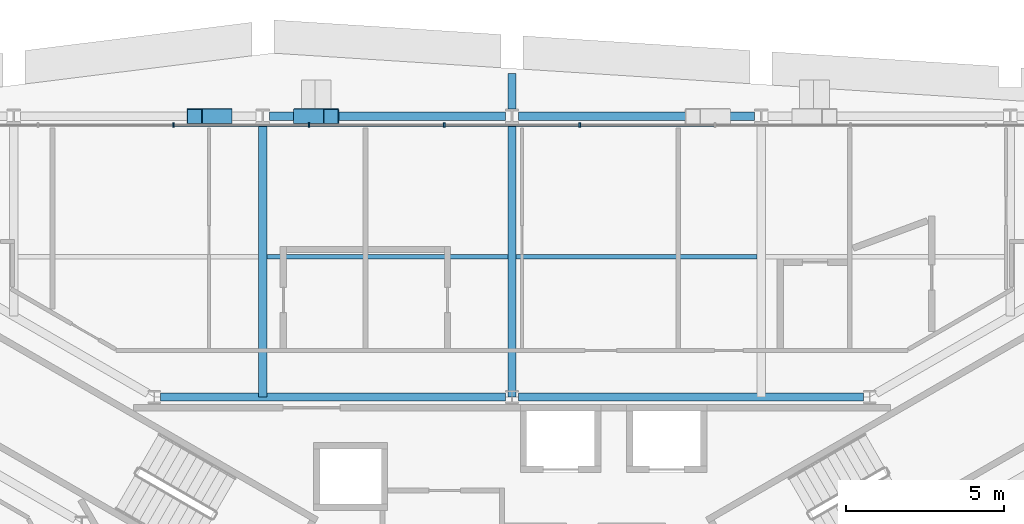
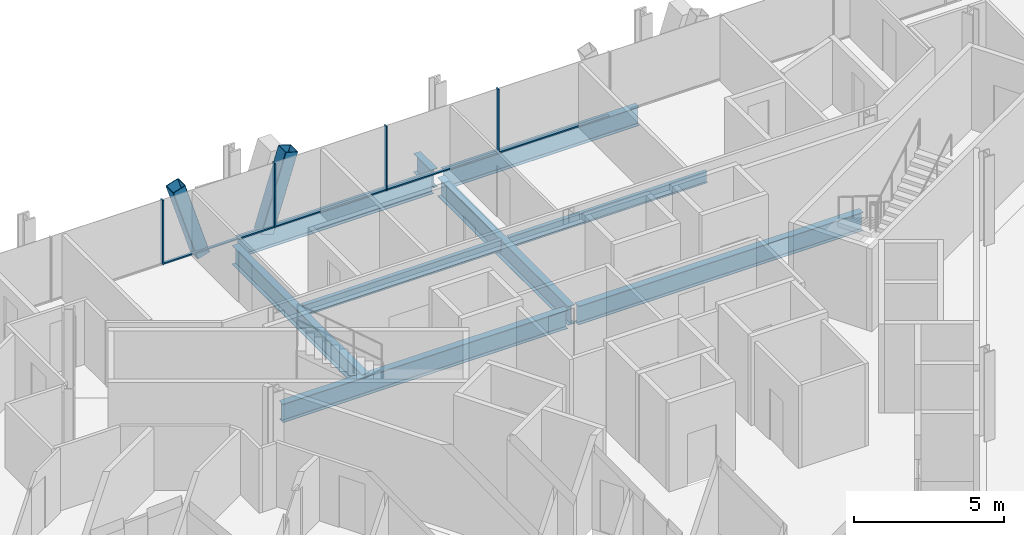
# One storey, part 7 of 17: 10 members, 9 beams, 1 element without a shape of its own.
"""IFC4 building model written with IfcOpenShell, lengths in metres."""

from ifc_helpers import new_model, si_unit, direction, frame, origin, origin_2d, place, context, subcontext, project, spatial, rectangle, hollow_rectangle, i_section, extrude, material, material_profile, profile_set, type_object, element, aggregate, save


model = new_model("IFC4")

# Units and contexts
model_context = context("Model", 3, precision=1e-05, world=origin(), true_north=direction((0.0, 1.0)))
body_context = subcontext(model_context, "Body", "Model", "MODEL_VIEW")
ifc_project = project(units=[si_unit("LENGTHUNIT", "METRE"), si_unit("AREAUNIT", "SQUARE_METRE"), si_unit("VOLUMEUNIT", "CUBIC_METRE"), si_unit("PLANEANGLEUNIT", "RADIAN"), si_unit("MASSUNIT", "GRAM", prefix="KILO")], contexts=[model_context])

# Site, building, storey
site_placement = place(None, origin())
site = spatial("IfcSite", under=ifc_project, at=site_placement, CompositionType="ELEMENT")
building_placement = place(site_placement, origin())
building = spatial("IfcBuilding", under=site, at=building_placement, Name="Verrane Prism Tower", CompositionType="ELEMENT")
storey_placement = place(building_placement, frame((0.0, 0.0, 96.39990234375)))
storey = spatial("IfcBuildingStorey", under=building, at=storey_placement, Name="L22", CompositionType="ELEMENT", Elevation=96.39990234375)

# Beams
ifc_material_1 = material(Name="Steel A992", Category="steel")
ifc_material_profile_1 = material_profile(ifc_material_1, i_section(OverallWidth=0.2666015625, OverallDepth=0.7568359375, WebThickness=0.013916015625, FlangeThickness=0.019287109375, FilletRadius=0.0166015625, at=origin_2d()), Name="W30x108")
ifc_profile_set_1 = profile_set([ifc_material_profile_1], Name="Steel A992")
beam_type_1 = type_object("IfcBeamType", Name="Core ring girder W30x108", PredefinedType="BEAM", material=ifc_profile_set_1)
for number, where, z_axis, x_axis, name in (
    (1, (11.12939453125, 9.199951171875, -0.62841796875), (-1.0, 0.0, 0.0), (0.0, -1.0, 0.0), "Core ring girder L22"),
    (2, (-0.20068359375, 9.199951171875, -0.62841796875), (-1.0, 0.0, 0.0), (0.0, -1.0, 0.0), "Core ring girder L22"),
):
    element("IfcBeam", number, at=place(storey_placement, frame(where, z_axis=z_axis, x_axis=x_axis)), inside=storey, type_object=beam_type_1, Name=name, PredefinedType="BEAM", context=body_context, shape_type="SweptSolid", body=[
        extrude(i_section(OverallWidth=0.2666015625, OverallDepth=0.7568359375, WebThickness=0.013916015625, FlangeThickness=0.019287109375, FilletRadius=0.0166015625, at=origin_2d()), origin(), (0.0, 0.0, 1.0), 10.9287109375),
    ])

# Members
ifc_material_2 = material(Name="Steel A1085 Grade A", Category="steel")
ifc_material_profile_2 = material_profile(ifc_material_2, hollow_rectangle(XDim=0.508056640625, YDim=0.508056640625, WallThickness=0.025390625, InnerFilletRadius=0.0126953125, OuterFilletRadius=0.0380859375, at=origin_2d()), Name="HSS20x20x1")
ifc_profile_set_2 = profile_set([ifc_material_profile_2], Name="Steel A1085 Grade A")
member_type_1 = type_object("IfcMemberType", Name="Facade brace HSS20x20x1", PredefinedType="BRACE", material=ifc_profile_set_2)
for number, where, z_axis, x_axis, name in (
    (3, (-6.670166015625, 18.090087890625, -0.242431640625), (0.298746857953, 0.0, 0.954332392232), (0.0, 1.0, 0.0), "Facade brace N3 L22"),
    (4, (-9.10986328125, 18.090087890625, -0.242431640625), (-0.298746857953, 0.0, 0.954332392232), (0.0, -1.0, 0.0), "Facade brace N4 L22"),
):
    element("IfcMember", number, at=place(storey_placement, frame(where, z_axis=z_axis, x_axis=x_axis)), inside=storey, type_object=member_type_1, Name=name, PredefinedType="BRACE", context=body_context, shape_type="SweptSolid", body=[
        extrude(hollow_rectangle(XDim=0.508056640625, YDim=0.508056640625, WallThickness=0.025390625, InnerFilletRadius=0.0126953125, OuterFilletRadius=0.0380859375, at=origin_2d()), origin(), (0.0, 0.0, 1.0), 3.152099609375),
    ])

# Beams
ifc_material_3 = material(Name="Steel A992", Category="steel")
ifc_material_profile_3 = material_profile(ifc_material_3, i_section(OverallWidth=0.15234375, OverallDepth=0.449462890625, WebThickness=0.007568359375, FlangeThickness=0.0107421875, FilletRadius=0.01025390625, at=origin_2d()), Name="W18x35")
ifc_profile_set_3 = profile_set([ifc_material_profile_3], Name="Steel A992")
beam_type_2 = type_object("IfcBeamType", Name="Floor beam W18x35", PredefinedType="BEAM", material=ifc_profile_set_3)
for number, where, z_axis, x_axis, name in (
    (5, (0.133544921875, 13.64501953125, -0.384765625), (1.0, 0.0, 0.0), (0.0, 1.0, 0.0), "Floor beam L22"),
    (6, (-7.756591796875, 13.64501953125, -0.384765625), (1.0, 0.0, 0.0), (0.0, 1.0, 0.0), "Floor beam L22"),
):
    element("IfcBeam", number, at=place(storey_placement, frame(where, z_axis=z_axis, x_axis=x_axis)), inside=storey, type_object=beam_type_2, Name=name, PredefinedType="BEAM", context=body_context, shape_type="SweptSolid", body=[
        extrude(i_section(OverallWidth=0.15234375, OverallDepth=0.449462890625, WebThickness=0.007568359375, FlangeThickness=0.0107421875, FilletRadius=0.01025390625, at=origin_2d()), origin(), (0.0, 0.0, 1.0), 7.623046875),
    ])

# Curtain wall, members
ifc_material_4 = material(Name="Aluminium framed insulated glazing", Category="aluminium")
curtain_wall_type = type_object("IfcCurtainWallType", Name="Curtain wall CW-C 4200 module", PredefinedType="NOTDEFINED", material=ifc_material_4)
curtain_wall_placement = place(storey_placement, origin())
curtain_wall = element("IfcCurtainWall", 7, at=curtain_wall_placement, inside=storey, type_object=curtain_wall_type, Name="Glazed curtain wall north face L22", PredefinedType="NOTDEFINED")
ifc_material_5 = material(Name="Aluminium alloy 6063-T6", Category="aluminium")
ifc_material_profile_4 = material_profile(ifc_material_5, rectangle(XDim=0.139892578125, YDim=0.050048828125, at=origin_2d()), Name="Mullion 50x140 aluminium")
ifc_profile_set_4 = profile_set([ifc_material_profile_4], Name="Aluminium alloy 6063-T6")
member_type_2 = type_object("IfcMemberType", Name="Mullion 50x140 aluminium", PredefinedType="MULLION", material=ifc_profile_set_4)
member_1_placement = place(storey_placement, frame((2.14453125, 17.81103515625, 0.0), z_axis=(0.0, 0.0, 1.0), x_axis=(0.0, -1.0, 0.0)))
member_1 = element("IfcMember", 8, at=member_1_placement, type_object=member_type_2, Name="CW21.2 mullion 6", PredefinedType="MULLION", context=body_context, shape_type="SweptSolid", body=[
    extrude(rectangle(XDim=0.139892578125, YDim=0.050048828125, at=origin_2d()), origin(), (0.0, 0.0, 1.0), 2.613037109375),
])
member_2_placement = place(storey_placement, frame((-2.14453125, 17.81103515625, 0.0), z_axis=(0.0, 0.0, 1.0), x_axis=(0.0, -1.0, 0.0)))
member_2 = element("IfcMember", 9, at=member_2_placement, type_object=member_type_2, Name="CW21.2 mullion 7", PredefinedType="MULLION", context=body_context, shape_type="SweptSolid", body=[
    extrude(rectangle(XDim=0.139892578125, YDim=0.050048828125, at=origin_2d()), origin(), (0.0, 0.0, 1.0), 2.613037109375),
])
member_3_placement = place(storey_placement, frame((-6.43359375, 17.81103515625, 0.0), z_axis=(0.0, 0.0, 1.0), x_axis=(0.0, -1.0, 0.0)))
member_3 = element("IfcMember", 10, at=member_3_placement, type_object=member_type_2, Name="CW21.2 mullion 8", PredefinedType="MULLION", context=body_context, shape_type="SweptSolid", body=[
    extrude(rectangle(XDim=0.139892578125, YDim=0.050048828125, at=origin_2d()), origin(), (0.0, 0.0, 1.0), 2.613037109375),
])
member_4_placement = place(storey_placement, frame((-10.72265625, 17.81103515625, 0.0), z_axis=(0.0, 0.0, 1.0), x_axis=(0.0, -1.0, 0.0)))
member_4 = element("IfcMember", 11, at=member_4_placement, type_object=member_type_2, Name="CW21.2 mullion 9", PredefinedType="MULLION", context=body_context, shape_type="SweptSolid", body=[
    extrude(rectangle(XDim=0.139892578125, YDim=0.050048828125, at=origin_2d()), origin(), (0.0, 0.0, 1.0), 2.613037109375),
])

# Beams
ifc_material_6 = material(Name="Steel A992", Category="steel")
ifc_material_profile_5 = material_profile(ifc_material_6, i_section(OverallWidth=0.2666015625, OverallDepth=0.76708984375, WebThickness=0.014892578125, FlangeThickness=0.023681640625, FilletRadius=0.0166015625, at=origin_2d()), Name="W30x124")
ifc_profile_set_5 = profile_set([ifc_material_profile_5], Name="Steel A992")
beam_type_3 = type_object("IfcBeamType", Name="Radial girder W30x124", PredefinedType="BEAM", material=ifc_profile_set_5)
for number, where, z_axis, x_axis, name in (
    (12, (0.0, 17.8525390625, -0.603515625), (0.0, -1.0, 0.0), (1.0, 0.0, 0.0), "Radial girder L22"),
    (13, (-7.889892578125, 17.8525390625, -0.603515625), (0.0, -1.0, 0.0), (1.0, 0.0, 0.0), "Radial girder L22"),
):
    element("IfcBeam", number, at=place(storey_placement, frame(where, z_axis=z_axis, x_axis=x_axis)), inside=storey, type_object=beam_type_3, Name=name, PredefinedType="BEAM", context=body_context, shape_type="SweptSolid", body=[
        extrude(i_section(OverallWidth=0.2666015625, OverallDepth=0.76708984375, WebThickness=0.014892578125, FlangeThickness=0.023681640625, FilletRadius=0.0166015625, at=origin_2d()), origin(), (0.0, 0.0, 1.0), 8.652587890625),
    ])
beam_placement = place(storey_placement, frame((0.0, 18.323486328125, -0.603515625), z_axis=(0.0, 1.0, 0.0), x_axis=(-1.0, 0.0, 0.0)))
element("IfcBeam", 14, at=beam_placement, inside=storey, type_object=beam_type_3, Name="Cantilever girder L22", PredefinedType="BEAM", context=body_context, shape_type="SweptSolid", body=[
    extrude(i_section(OverallWidth=0.2666015625, OverallDepth=0.76708984375, WebThickness=0.014892578125, FlangeThickness=0.023681640625, FilletRadius=0.0166015625, at=origin_2d()), origin(), (0.0, 0.0, 1.0), 1.12841796875),
])
ifc_material_7 = material(Name="Steel A992", Category="steel")
ifc_material_profile_6 = material_profile(ifc_material_7, i_section(OverallWidth=0.2666015625, OverallDepth=0.7568359375, WebThickness=0.013916015625, FlangeThickness=0.019287109375, FilletRadius=0.0166015625, at=origin_2d()), Name="W30x108")
ifc_profile_set_6 = profile_set([ifc_material_profile_6], Name="Steel A992")
beam_type_4 = type_object("IfcBeamType", Name="Spandrel beam W30x108", PredefinedType="SPANDREL", material=ifc_profile_set_6)
for number, where, z_axis, x_axis, name in (
    (15, (7.677978515625, 18.090087890625, -0.538330078125), (-1.0, 0.0, 0.0), (0.0, -1.0, 0.0), "Spandrel beam L22"),
    (16, (-0.212158203125, 18.090087890625, -0.538330078125), (-1.0, 0.0, 0.0), (0.0, -1.0, 0.0), "Spandrel beam L22"),
):
    element("IfcBeam", number, at=place(storey_placement, frame(where, z_axis=z_axis, x_axis=x_axis)), inside=storey, type_object=beam_type_4, Name=name, PredefinedType="SPANDREL", context=body_context, shape_type="SweptSolid", body=[
        extrude(i_section(OverallWidth=0.2666015625, OverallDepth=0.7568359375, WebThickness=0.013916015625, FlangeThickness=0.019287109375, FilletRadius=0.0166015625, at=origin_2d()), origin(), (0.0, 0.0, 1.0), 7.4658203125),
    ])

# Member
ifc_material_8 = material(Name="Aluminium alloy 6063-T6", Category="aluminium")
ifc_material_profile_7 = material_profile(ifc_material_8, rectangle(XDim=0.10009765625, YDim=0.050048828125, at=origin_2d()), Name="Transom 50x100 aluminium")
ifc_profile_set_7 = profile_set([ifc_material_profile_7], Name="Aluminium alloy 6063-T6")
member_type_3 = type_object("IfcMemberType", Name="Transom 50x100 aluminium", PredefinedType="USERDEFINED", material=ifc_profile_set_7)
member_5_placement = place(storey_placement, frame((6.408447265625, 17.81103515625, 0.025146484375), z_axis=(-1.0, 0.0, 0.0), x_axis=(0.0, -1.0, 0.0)))
member_5 = element("IfcMember", 17, at=member_5_placement, type_object=member_type_3, Name="CW21.2 transom 5", ObjectType="TRANSOM", PredefinedType="USERDEFINED", context=body_context, shape_type="SweptSolid", body=[
    extrude(rectangle(XDim=0.10009765625, YDim=0.050048828125, at=origin_2d()), origin(), (0.0, 0.0, 1.0), 4.239013671875),
])

member_6_placement = place(storey_placement, frame((2.11962890625, 17.81103515625, 0.025146484375), z_axis=(-1.0, 0.0, 0.0), x_axis=(0.0, -1.0, 0.0)))
member_6 = element("IfcMember", 18, at=member_6_placement, type_object=member_type_3, Name="CW21.2 transom 6", ObjectType="TRANSOM", PredefinedType="USERDEFINED", context=body_context, shape_type="SweptSolid", body=[
    extrude(rectangle(XDim=0.10009765625, YDim=0.050048828125, at=origin_2d()), origin(), (0.0, 0.0, 1.0), 4.2392578125),
])

member_7_placement = place(storey_placement, frame((-2.16943359375, 17.81103515625, 0.025146484375), z_axis=(-1.0, 0.0, 0.0), x_axis=(0.0, -1.0, 0.0)))
member_7 = element("IfcMember", 19, at=member_7_placement, type_object=member_type_3, Name="CW21.2 transom 7", ObjectType="TRANSOM", PredefinedType="USERDEFINED", context=body_context, shape_type="SweptSolid", body=[
    extrude(rectangle(XDim=0.10009765625, YDim=0.050048828125, at=origin_2d()), origin(), (0.0, 0.0, 1.0), 4.239013671875),
])

member_8_placement = place(storey_placement, frame((-6.45849609375, 17.81103515625, 0.025146484375), z_axis=(-1.0, 0.0, 0.0), x_axis=(0.0, -1.0, 0.0)))
member_8 = element("IfcMember", 20, at=member_8_placement, type_object=member_type_3, Name="CW21.2 transom 8", ObjectType="TRANSOM", PredefinedType="USERDEFINED", context=body_context, shape_type="SweptSolid", body=[
    extrude(rectangle(XDim=0.10009765625, YDim=0.050048828125, at=origin_2d()), origin(), (0.0, 0.0, 1.0), 4.239013671875),
])

aggregate(curtain_wall, [member_1, member_2, member_3, member_4, member_5, member_6, member_7, member_8])

save(model, "model.ifc")
